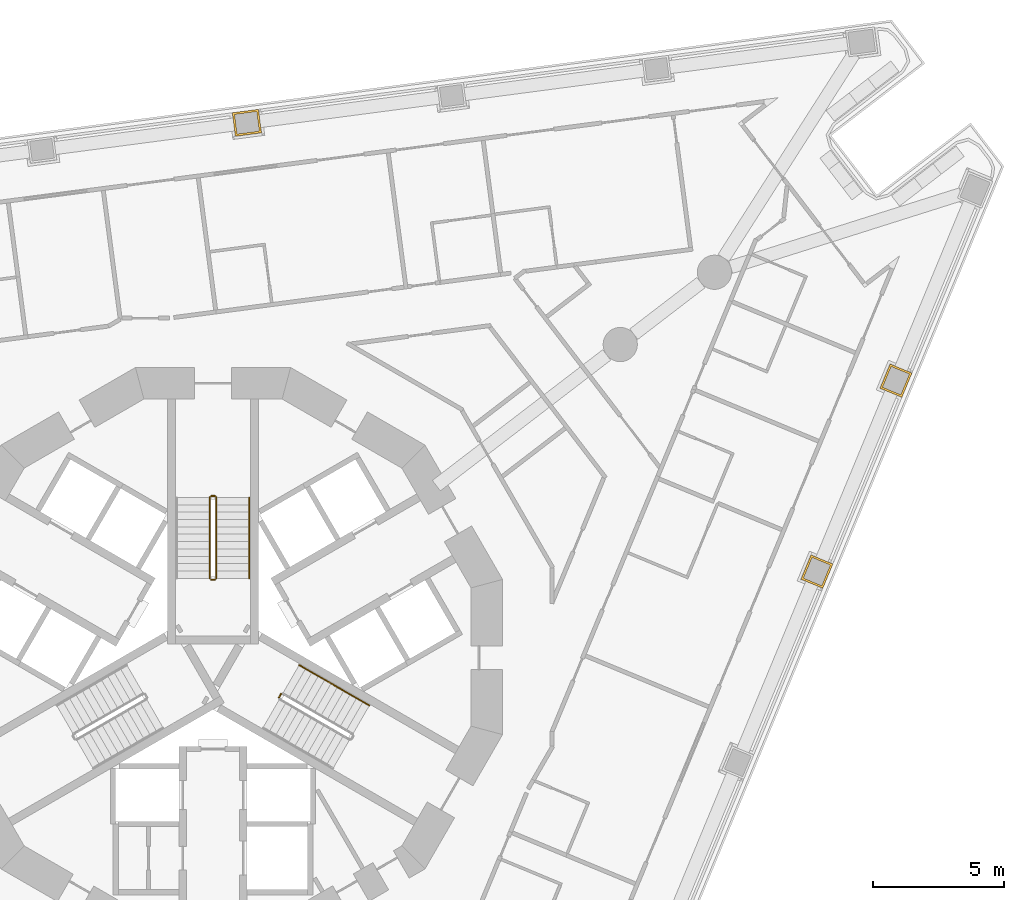
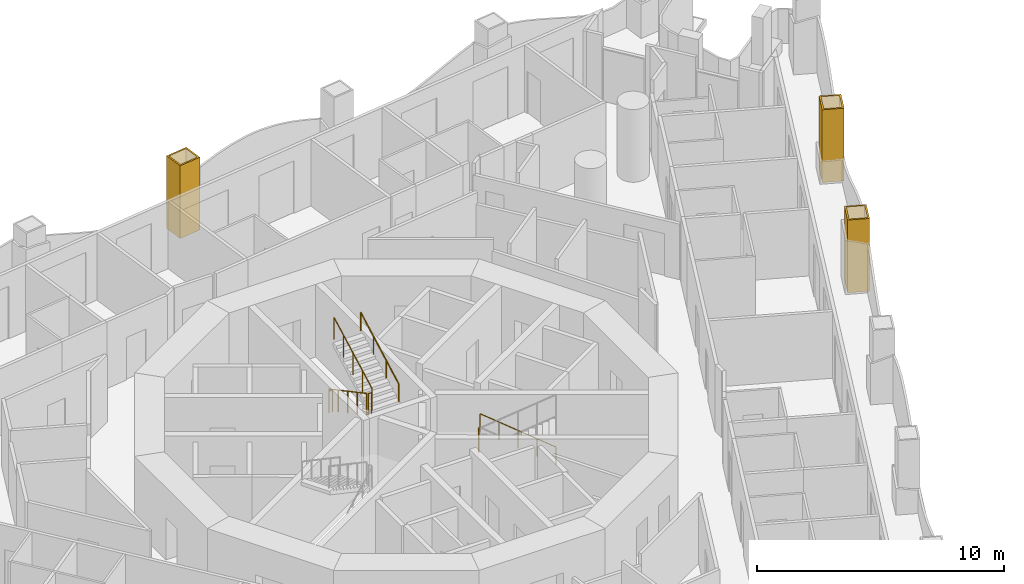
# One storey, part 17 of 19: 8 railings, 3 coverings.
"""IFC4 building model written with IfcOpenShell, lengths in metres."""

from ifc_helpers import new_model, si_unit, direction, frame, origin, origin_2d, place, context, subcontext, project, spatial, polyline, circle, outline, extrude, material, layer, layer_set, type_object, element, save


model = new_model("IFC4")

# Units and contexts
model_context = context("Model", 3, precision=1e-05, world=origin(), true_north=direction((0.0, 1.0)))
body_context = subcontext(model_context, "Body", "Model", "MODEL_VIEW")
ifc_project = project(units=[si_unit("LENGTHUNIT", "METRE"), si_unit("AREAUNIT", "SQUARE_METRE"), si_unit("VOLUMEUNIT", "CUBIC_METRE"), si_unit("PLANEANGLEUNIT", "RADIAN"), si_unit("MASSUNIT", "GRAM", prefix="KILO")], contexts=[model_context])

# Site, building, storey
site_placement = place(None, origin())
site = spatial("IfcSite", under=ifc_project, at=site_placement, CompositionType="ELEMENT")
building_placement = place(site_placement, origin())
building = spatial("IfcBuilding", under=site, at=building_placement, Name="Trine Commons Tower", CompositionType="ELEMENT")
storey_placement = place(building_placement, frame((0.0, 0.0, 72.0)))
storey = spatial("IfcBuildingStorey", under=building, at=storey_placement, Name="L17", CompositionType="ELEMENT", Elevation=72.0)

# Coverings
ifc_material_1 = material(Name="Limestone, honed", Category="masonry")
ifc_layer = layer(ifc_material_1, 0.074951171875)
ifc_layer_set = layer_set([ifc_layer], Name="Limestone, honed")
covering_type = type_object("IfcCoveringType", Name="Limestone column cladding 75", PredefinedType="CLADDING", material=ifc_layer_set)
covering_1_placement = place(storey_placement, origin())
element("IfcCovering", 1, at=covering_1_placement, inside=storey, type_object=covering_type, Name="Limestone pier cladding 2-13", PredefinedType="CLADDING", context=body_context, shape_type="SweptSolid", body=[
    extrude(outline(polyline([(81.843505859375, 82.43798828125), (81.72607421875, 83.330322265625), (80.734619140625, 83.19970703125), (80.85205078125, 82.3076171875), (81.843505859375, 82.43798828125)]), holes=[polyline([(81.759521484375, 82.502685546875), (81.66162109375, 83.24609375), (80.81884765625, 83.13525390625), (80.916748046875, 82.3916015625), (81.759521484375, 82.502685546875)])]), origin(), (0.0, 0.0, 1.0), 3.60009765625),
])
covering_2_placement = place(storey_placement, origin())
element("IfcCovering", 2, at=covering_2_placement, inside=storey, type_object=covering_type, Name="Limestone pier cladding 2-18", PredefinedType="CLADDING", context=body_context, shape_type="SweptSolid", body=[
    extrude(outline(polyline([(106.58349609375, 73.30029296875), (105.751953125, 73.644775390625), (105.369140625, 72.720947265625), (106.20068359375, 72.37646484375), (106.58349609375, 73.30029296875)]), holes=[polyline([(106.4853515625, 73.259765625), (105.79248046875, 73.546875), (105.46728515625, 72.761474609375), (106.16015625, 72.474365234375), (106.4853515625, 73.259765625)])]), origin(), (0.0, 0.0, 1.0), 3.60009765625),
])
covering_3_placement = place(storey_placement, origin())
element("IfcCovering", 3, at=covering_3_placement, inside=storey, type_object=covering_type, Name="Limestone pier cladding 2-19", PredefinedType="CLADDING", context=body_context, shape_type="SweptSolid", body=[
    extrude(outline(polyline([(103.575439453125, 66.0380859375), (102.743896484375, 66.382568359375), (102.361083984375, 65.458740234375), (103.192626953125, 65.114501953125), (103.575439453125, 66.0380859375)]), holes=[polyline([(103.477294921875, 65.99755859375), (102.784423828125, 66.28466796875), (102.459228515625, 65.49951171875), (103.152099609375, 65.21240234375), (103.477294921875, 65.99755859375)])]), origin(), (0.0, 0.0, 1.0), 3.60009765625),
])

# Railings
ifc_material_2 = material(Name="Stainless steel balustrade", Category="steel")
railing_type_1 = type_object("IfcRailingType", Name="Stair guard, steel balustrade 1100", PredefinedType="GUARDRAIL", material=ifc_material_2)
railing_1_placement = place(storey_placement, frame((79.875, 68.570556640625, 0.14990234375)))
element("IfcRailing", 4, at=railing_1_placement, inside=storey, type_object=railing_type_1, Name="L17 ST1A stair guard 1", PredefinedType="GUARDRAIL", context=body_context, shape_type="SweptSolid", body=[
    extrude(circle(Radius=0.02392578125, at=origin_2d()), frame((0.0, 0.0, 1.076171875), z_axis=(0.0, -0.881467505477, 0.472244678941), x_axis=(1.0, 0.0, 0.0)), (0.0, 0.0, 1.0), 3.494140625),
    extrude(circle(Radius=0.02099609375, at=origin_2d()), origin(), (0.0, 0.0, 1.0), 1.052001953125),
    extrude(circle(Radius=0.02099609375, at=origin_2d()), frame((0.0, -0.77001953125, 0.41259765625)), (0.0, 0.0, 1.0), 1.052001953125),
    extrude(circle(Radius=0.02099609375, at=origin_2d()), frame((0.0, -1.5400390625, 0.8251953125)), (0.0, 0.0, 1.0), 1.052001953125),
    extrude(circle(Radius=0.02099609375, at=origin_2d()), frame((0.0, -2.31005859375, 1.237548828125)), (0.0, 0.0, 1.0), 1.052001953125),
    extrude(circle(Radius=0.02099609375, at=origin_2d()), frame((0.0, -3.080078125, 1.650146484375)), (0.0, 0.0, 1.0), 1.052001953125),
])
railing_2_placement = place(storey_placement, frame((79.925048828125, 65.440673828125, 1.800048828125)))
element("IfcRailing", 5, at=railing_2_placement, inside=storey, type_object=railing_type_1, Name="L17 ST1A stair guard 2", PredefinedType="GUARDRAIL", context=body_context, shape_type="SweptSolid", body=[
    extrude(circle(Radius=0.02392578125, at=origin_2d()), frame((0.0, 0.0, 1.076171875), z_axis=(1.0, 0.0, 0.0), x_axis=(0.0, 1.0, 0.0)), (0.0, 0.0, 1.0), 0.14990234375),
    extrude(circle(Radius=0.02099609375, at=origin_2d()), origin(), (0.0, 0.0, 1.0), 1.052001953125),
    extrude(circle(Radius=0.02099609375, at=origin_2d()), frame((0.14990234375, 0.0, 0.0)), (0.0, 0.0, 1.0), 1.052001953125),
])
railing_3_placement = place(storey_placement, frame((80.125, 65.490478515625, 1.949951171875)))
element("IfcRailing", 6, at=railing_3_placement, inside=storey, type_object=railing_type_1, Name="L17 ST1A stair guard 3", PredefinedType="GUARDRAIL", context=body_context, shape_type="SweptSolid", body=[
    extrude(circle(Radius=0.02392578125, at=origin_2d()), frame((0.0, 0.0, 1.076171875), z_axis=(0.0, 0.881467505477, 0.472244678941), x_axis=(-1.0, 0.0, 0.0)), (0.0, 0.0, 1.0), 3.494140625),
    extrude(circle(Radius=0.02099609375, at=origin_2d()), origin(), (0.0, 0.0, 1.0), 1.052001953125),
    extrude(circle(Radius=0.02099609375, at=origin_2d()), frame((0.0, 0.77001953125, 0.41259765625)), (0.0, 0.0, 1.0), 1.052001953125),
    extrude(circle(Radius=0.02099609375, at=origin_2d()), frame((0.0, 1.5400390625, 0.8251953125)), (0.0, 0.0, 1.0), 1.052001953125),
    extrude(circle(Radius=0.02099609375, at=origin_2d()), frame((0.0, 2.31005859375, 1.237548828125)), (0.0, 0.0, 1.0), 1.052001953125),
    extrude(circle(Radius=0.02099609375, at=origin_2d()), frame((0.0, 3.080078125, 1.650146484375)), (0.0, 0.0, 1.0), 1.052001953125),
])
railing_4_placement = place(storey_placement, frame((79.925048828125, 68.62060546875, 0.0)))
element("IfcRailing", 7, at=railing_4_placement, inside=storey, type_object=railing_type_1, Name="L17 ST1A stair guard 4", PredefinedType="GUARDRAIL", context=body_context, shape_type="SweptSolid", body=[
    extrude(circle(Radius=0.02392578125, at=origin_2d()), frame((0.0, 0.0, 1.076171875), z_axis=(1.0, 0.0, 0.0), x_axis=(0.0, 1.0, 0.0)), (0.0, 0.0, 1.0), 0.14990234375),
    extrude(circle(Radius=0.02099609375, at=origin_2d()), origin(), (0.0, 0.0, 1.0), 1.052001953125),
    extrude(circle(Radius=0.02099609375, at=origin_2d()), frame((0.14990234375, 0.0, 0.0)), (0.0, 0.0, 1.0), 1.052001953125),
])
railing_5_placement = place(storey_placement, frame((82.584228515625, 61.0947265625, 1.800048828125)))
element("IfcRailing", 8, at=railing_5_placement, inside=storey, type_object=railing_type_1, Name="L17 ST3A stair guard 2", PredefinedType="GUARDRAIL", context=body_context, shape_type="SweptSolid", body=[
    extrude(circle(Radius=0.02392578125, at=origin_2d()), frame((0.0, 0.0, 1.076171875), z_axis=(-0.501036270542, -0.865426285481, 0.0), x_axis=(0.865426285481, -0.501036270542, 0.0)), (0.0, 0.0, 1.0), 0.150146484375),
    extrude(circle(Radius=0.02099609375, at=origin_2d()), origin(), (0.0, 0.0, 1.0), 1.052001953125),
    extrude(circle(Radius=0.02099609375, at=origin_2d()), frame((-0.0751953125, -0.1298828125, 0.0)), (0.0, 0.0, 1.0), 1.052001953125),
])
ifc_material_3 = material(Name="Stainless steel handrail", Category="steel")
railing_type_2 = type_object("IfcRailingType", Name="Stair handrail, steel 900", PredefinedType="HANDRAIL", material=ifc_material_3)
railing_6_placement = place(storey_placement, frame((81.375, 65.490478515625, 1.949951171875)))
element("IfcRailing", 9, at=railing_6_placement, inside=storey, type_object=railing_type_2, Name="L17 ST1A stair handrail 2", PredefinedType="HANDRAIL", context=body_context, shape_type="SweptSolid", body=[
    extrude(circle(Radius=0.02099609375, at=origin_2d()), frame((0.0, 0.0, 0.87890625), z_axis=(0.0, 0.881467505477, 0.472244678941), x_axis=(-1.0, 0.0, 0.0)), (0.0, 0.0, 1.0), 3.494140625),
    extrude(circle(Radius=0.01513671875, at=origin_2d()), origin(), (0.0, 0.0, 1.0), 0.85791015625),
    extrude(circle(Radius=0.01513671875, at=origin_2d()), frame((0.0, 1.026611328125, 0.550048828125)), (0.0, 0.0, 1.0), 0.85791015625),
    extrude(circle(Radius=0.01513671875, at=origin_2d()), frame((0.0, 2.053466796875, 1.10009765625)), (0.0, 0.0, 1.0), 0.85791015625),
    extrude(circle(Radius=0.01513671875, at=origin_2d()), frame((0.0, 3.080078125, 1.650146484375)), (0.0, 0.0, 1.0), 0.85791015625),
])
railing_7_placement = place(storey_placement, frame((85.94482421875, 60.655517578125, 0.14990234375)))
element("IfcRailing", 10, at=railing_7_placement, inside=storey, type_object=railing_type_2, Name="L17 ST3A stair handrail 1", PredefinedType="HANDRAIL", context=body_context, shape_type="SweptSolid", body=[
    extrude(circle(Radius=0.02099609375, at=origin_2d()), frame((0.0, 0.0, 0.87890625), z_axis=(-0.763354580307, 0.440713956853, 0.472293333596), x_axis=(-0.499992328818, -0.866029832698, 0.0)), (0.0, 0.0, 1.0), 1.747314453125),
    extrude(circle(Radius=0.01513671875, at=origin_2d()), origin(), (0.0, 0.0, 1.0), 0.85791015625),
    extrude(circle(Radius=0.01513671875, at=origin_2d()), frame((-0.6669921875, 0.385009765625, 0.41259765625)), (0.0, 0.0, 1.0), 0.85791015625),
    extrude(circle(Radius=0.01513671875, at=origin_2d()), frame((-1.333740234375, 0.77001953125, 0.8251953125)), (0.0, 0.0, 1.0), 0.85791015625),
])
railing_8_placement = place(storey_placement, frame((84.611083984375, 61.425537109375, 0.97509765625)))
element("IfcRailing", 11, at=railing_8_placement, inside=storey, type_object=railing_type_2, Name="L17 ST3A stair handrail 2", PredefinedType="HANDRAIL", context=body_context, shape_type="SweptSolid", body=[
    extrude(circle(Radius=0.02099609375, at=origin_2d()), frame((0.0, 0.0, 0.87890625), z_axis=(-0.76340495495, 0.440743040072, 0.472184759798), x_axis=(-0.499992328818, -0.866029832698, 0.0)), (0.0, 0.0, 1.0), 1.7470703125),
    extrude(circle(Radius=0.01513671875, at=origin_2d()), origin(), (0.0, 0.0, 1.0), 0.85791015625),
    extrude(circle(Radius=0.01513671875, at=origin_2d()), frame((-0.6669921875, 0.385009765625, 0.41259765625)), (0.0, 0.0, 1.0), 0.85791015625),
    extrude(circle(Radius=0.01513671875, at=origin_2d()), frame((-1.333740234375, 0.77001953125, 0.824951171875)), (0.0, 0.0, 1.0), 0.85791015625),
])

save(model, "model.ifc")
